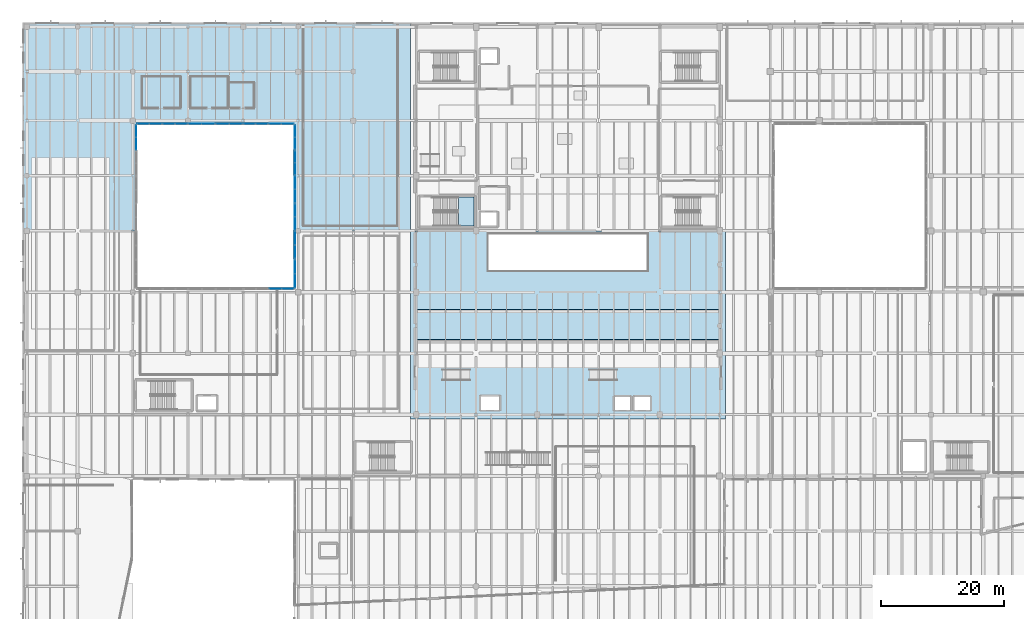
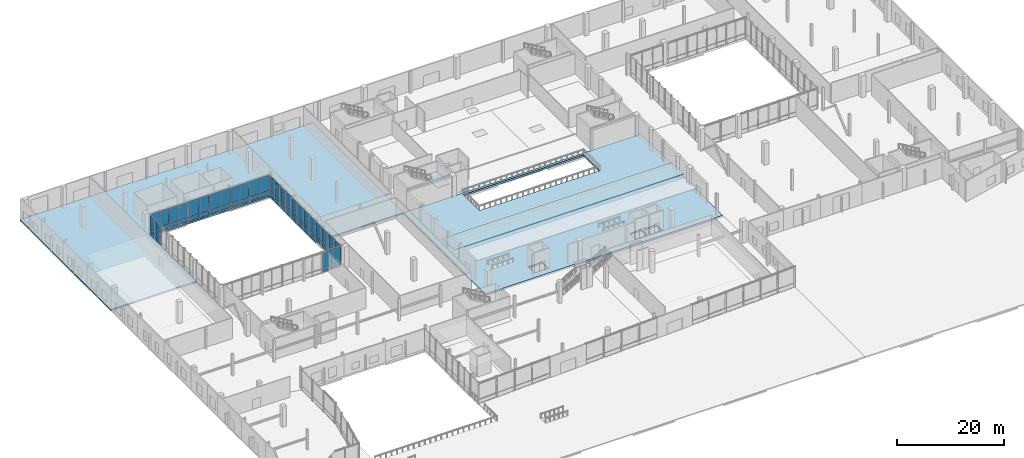
# One storey, part 62 of 88: 56 plates, 4 slabs, 15 elements without a shape of their own.
"""IFC4 building model written with IfcOpenShell, lengths in metres."""

from ifc_helpers import new_model, si_unit, direction, frame, origin, origin_2d, place, context, subcontext, project, spatial, polyline, rectangle, outline, extrude, material, layer, layer_set, type_object, element, aggregate, save


model = new_model("IFC4")

# Units and contexts
model_context = context("Model", 3, precision=1e-05, world=origin(), true_north=direction((0.0, 1.0)))
body_context = subcontext(model_context, "Body", "Model", "MODEL_VIEW")
ifc_project = project(units=[si_unit("LENGTHUNIT", "METRE"), si_unit("AREAUNIT", "SQUARE_METRE"), si_unit("VOLUMEUNIT", "CUBIC_METRE"), si_unit("PLANEANGLEUNIT", "RADIAN"), si_unit("MASSUNIT", "GRAM", prefix="KILO")], contexts=[model_context])

# Site, building, storey
site_placement = place(None, origin())
site = spatial("IfcSite", under=ifc_project, at=site_placement, CompositionType="ELEMENT")
building_placement = place(site_placement, origin())
building = spatial("IfcBuilding", under=site, at=building_placement, Name="Trimount Lyric Opera House", CompositionType="ELEMENT")
storey_placement = place(building_placement, origin())
storey = spatial("IfcBuildingStorey", under=building, at=storey_placement, Name="L00", CompositionType="ELEMENT", Elevation=0.0)

# Curtain wall, plates
ifc_material_1 = material(Name="Thermally Broken Aluminium and Low-E Glass", Category="aluminium")
curtain_wall_type = type_object("IfcCurtainWallType", Name="CW-03", PredefinedType="NOTDEFINED", material=ifc_material_1)
curtain_wall_1_placement = place(storey_placement, origin())
curtain_wall_1 = element("IfcCurtainWall", 1, at=curtain_wall_1_placement, inside=storey, type_object=curtain_wall_type, Name="L00 curtain wall 059", PredefinedType="NOTDEFINED")
ifc_material_2 = material(Name="Triple Low-E Acoustic Laminated Glass", Category="glass")
ifc_layer_1 = layer(ifc_material_2, 0.035888671875)
ifc_layer_set_1 = layer_set([ifc_layer_1], Name="CWP-01")
plate_type_1 = type_object("IfcPlateType", Name="CWP-01", PredefinedType="CURTAIN_PANEL", material=ifc_layer_set_1)
plate_1_placement = place(storey_placement, frame((44.4599609375, 75.860107421875, 0.114990234375), z_axis=(0.0, 0.0, 1.0), x_axis=(0.0, 1.0, 0.0)))
plate_1 = element("IfcPlate", 2, at=plate_1_placement, type_object=plate_type_1, Name="CW-03 panel 1.1", PredefinedType="CURTAIN_PANEL", context=body_context, shape_type="SweptSolid", body=[
    extrude(rectangle(XDim=2.239990234375, YDim=0.035888671875, at=origin_2d()), origin(), (0.0, 0.0, 1.0), 0.87744140625),
])
plate_2_placement = place(storey_placement, frame((44.4599609375, 78.159912109375, 0.114990234375), z_axis=(0.0, 0.0, 1.0), x_axis=(0.0, 1.0, 0.0)))
plate_2 = element("IfcPlate", 3, at=plate_2_placement, type_object=plate_type_1, Name="CW-03 panel 2.1", PredefinedType="CURTAIN_PANEL", context=body_context, shape_type="SweptSolid", body=[
    extrude(rectangle(XDim=2.239990234375, YDim=0.035888671875, at=origin_2d()), origin(), (0.0, 0.0, 1.0), 0.87744140625),
])

curtain_wall_2_placement = place(storey_placement, origin())
curtain_wall_2 = element("IfcCurtainWall", 4, at=curtain_wall_2_placement, inside=storey, type_object=curtain_wall_type, Name="L00 curtain wall 060", PredefinedType="NOTDEFINED")
plate_3_placement = place(storey_placement, frame((44.4599609375, 80.590087890625, 0.159912109375), z_axis=(0.0, 0.0, 1.0), x_axis=(0.0, 1.0, 0.0)))
plate_3 = element("IfcPlate", 5, at=plate_3_placement, type_object=plate_type_1, Name="CW-03 panel 1.1", PredefinedType="CURTAIN_PANEL", context=body_context, shape_type="SweptSolid", body=[
    extrude(rectangle(XDim=2.179931640625, YDim=0.035888671875, at=origin_2d()), origin(), (0.0, 0.0, 1.0), 0.81005859375),
])
plate_4_placement = place(storey_placement, frame((44.4599609375, 82.840087890625, 0.159912109375), z_axis=(0.0, 0.0, 1.0), x_axis=(0.0, 1.0, 0.0)))
plate_4 = element("IfcPlate", 6, at=plate_4_placement, type_object=plate_type_1, Name="CW-03 panel 2.1", PredefinedType="CURTAIN_PANEL", context=body_context, shape_type="SweptSolid", body=[
    extrude(rectangle(XDim=2.179931640625, YDim=0.035888671875, at=origin_2d()), origin(), (0.0, 0.0, 1.0), 0.81005859375),
])

curtain_wall_3_placement = place(storey_placement, origin())
curtain_wall_3 = element("IfcCurtainWall", 7, at=curtain_wall_3_placement, inside=storey, type_object=curtain_wall_type, Name="L00 curtain wall 061", PredefinedType="NOTDEFINED")
plate_5_placement = place(storey_placement, frame((44.4599609375, 85.208740234375, 0.13525390625), z_axis=(0.0, 0.0, 1.0), x_axis=(0.0, 1.0, 0.0)))
plate_5 = element("IfcPlate", 8, at=plate_5_placement, type_object=plate_type_1, Name="CW-03 panel 1.1", PredefinedType="CURTAIN_PANEL", context=body_context, shape_type="SweptSolid", body=[
    extrude(rectangle(XDim=2.107421875, YDim=0.035888671875, at=origin_2d()), origin(), (0.0, 0.0, 1.0), 0.847412109375),
])
plate_6_placement = place(storey_placement, frame((44.4599609375, 87.38134765625, 0.13525390625), z_axis=(0.0, 0.0, 1.0), x_axis=(0.0, 1.0, 0.0)))
plate_6 = element("IfcPlate", 9, at=plate_6_placement, type_object=plate_type_1, Name="CW-03 panel 2.1", PredefinedType="CURTAIN_PANEL", context=body_context, shape_type="SweptSolid", body=[
    extrude(rectangle(XDim=2.107421875, YDim=0.035888671875, at=origin_2d()), origin(), (0.0, 0.0, 1.0), 0.847412109375),
])

curtain_wall_4_placement = place(storey_placement, origin())
curtain_wall_4 = element("IfcCurtainWall", 10, at=curtain_wall_4_placement, inside=storey, type_object=curtain_wall_type, Name="L00 curtain wall 062", PredefinedType="NOTDEFINED")
plate_7_placement = place(storey_placement, frame((44.4599609375, 89.70751953125, 0.114990234375), z_axis=(0.0, 0.0, 1.0), x_axis=(0.0, 1.0, 0.0)))
plate_7 = element("IfcPlate", 11, at=plate_7_placement, type_object=plate_type_1, Name="CW-03 panel 1.1", PredefinedType="CURTAIN_PANEL", context=body_context, shape_type="SweptSolid", body=[
    extrude(rectangle(XDim=2.114990234375, YDim=0.035888671875, at=origin_2d()), origin(), (0.0, 0.0, 1.0), 0.87744140625),
])
plate_8_placement = place(storey_placement, frame((44.4599609375, 91.882568359375, 0.114990234375), z_axis=(0.0, 0.0, 1.0), x_axis=(0.0, 1.0, 0.0)))
plate_8 = element("IfcPlate", 12, at=plate_8_placement, type_object=plate_type_1, Name="CW-03 panel 2.1", PredefinedType="CURTAIN_PANEL", context=body_context, shape_type="SweptSolid", body=[
    extrude(rectangle(XDim=2.114990234375, YDim=0.035888671875, at=origin_2d()), origin(), (0.0, 0.0, 1.0), 0.87744140625),
])

curtain_wall_5_placement = place(storey_placement, origin())
curtain_wall_5 = element("IfcCurtainWall", 13, at=curtain_wall_5_placement, inside=storey, type_object=curtain_wall_type, Name="L00 curtain wall 063", PredefinedType="NOTDEFINED")
plate_9_placement = place(storey_placement, frame((44.4599609375, 94.125, 0.159912109375), z_axis=(0.0, 0.0, 1.0), x_axis=(0.0, 1.0, 0.0)))
plate_9 = element("IfcPlate", 14, at=plate_9_placement, type_object=plate_type_1, Name="CW-03 panel 1.1", PredefinedType="CURTAIN_PANEL", context=body_context, shape_type="SweptSolid", body=[
    extrude(rectangle(XDim=1.929931640625, YDim=0.035888671875, at=origin_2d()), origin(), (0.0, 0.0, 1.0), 0.81005859375),
])
plate_10_placement = place(storey_placement, frame((44.4599609375, 96.125, 0.159912109375), z_axis=(0.0, 0.0, 1.0), x_axis=(0.0, 1.0, 0.0)))
plate_10 = element("IfcPlate", 15, at=plate_10_placement, type_object=plate_type_1, Name="CW-03 panel 2.1", PredefinedType="CURTAIN_PANEL", context=body_context, shape_type="SweptSolid", body=[
    extrude(rectangle(XDim=1.929931640625, YDim=0.035888671875, at=origin_2d()), origin(), (0.0, 0.0, 1.0), 0.81005859375),
])

curtain_wall_6_placement = place(storey_placement, origin())
curtain_wall_6 = element("IfcCurtainWall", 16, at=curtain_wall_6_placement, inside=storey, type_object=curtain_wall_type, Name="L00 curtain wall 064", PredefinedType="NOTDEFINED")
plate_11_placement = place(storey_placement, frame((44.4599609375, 98.28369140625, 0.13525390625), z_axis=(0.0, 0.0, 1.0), x_axis=(0.0, 1.0, 0.0)))
plate_11 = element("IfcPlate", 17, at=plate_11_placement, type_object=plate_type_1, Name="CW-03 panel 1.1", PredefinedType="CURTAIN_PANEL", context=body_context, shape_type="SweptSolid", body=[
    extrude(rectangle(XDim=1.9375, YDim=0.035888671875, at=origin_2d()), origin(), (0.0, 0.0, 1.0), 0.847412109375),
])
plate_12_placement = place(storey_placement, frame((44.4599609375, 100.2861328125, 0.13525390625), z_axis=(0.0, 0.0, 1.0), x_axis=(0.0, 1.0, 0.0)))
plate_12 = element("IfcPlate", 18, at=plate_12_placement, type_object=plate_type_1, Name="CW-03 panel 2.1", PredefinedType="CURTAIN_PANEL", context=body_context, shape_type="SweptSolid", body=[
    extrude(rectangle(XDim=1.9375, YDim=0.035888671875, at=origin_2d()), origin(), (0.0, 0.0, 1.0), 0.847412109375),
])

curtain_wall_7_placement = place(storey_placement, origin())
curtain_wall_7 = element("IfcCurtainWall", 19, at=curtain_wall_7_placement, inside=storey, type_object=curtain_wall_type, Name="L00 curtain wall 065", PredefinedType="NOTDEFINED")
plate_13_placement = place(storey_placement, frame((43.264892578125, 101.4599609375, 0.114990234375), z_axis=(0.0, 0.0, 1.0), x_axis=(-1.0, 0.0, 0.0)))
plate_13 = element("IfcPlate", 20, at=plate_13_placement, type_object=plate_type_1, Name="CW-03 panel 1.1", PredefinedType="CURTAIN_PANEL", context=body_context, shape_type="SweptSolid", body=[
    extrude(rectangle(XDim=1.989990234375, YDim=0.035888671875, at=origin_2d()), origin(), (0.0, 0.0, 1.0), 0.87744140625),
])
plate_14_placement = place(storey_placement, frame((41.215087890625, 101.4599609375, 0.114990234375), z_axis=(0.0, 0.0, 1.0), x_axis=(-1.0, 0.0, 0.0)))
plate_14 = element("IfcPlate", 21, at=plate_14_placement, type_object=plate_type_1, Name="CW-03 panel 2.1", PredefinedType="CURTAIN_PANEL", context=body_context, shape_type="SweptSolid", body=[
    extrude(rectangle(XDim=1.989990234375, YDim=0.035888671875, at=origin_2d()), origin(), (0.0, 0.0, 1.0), 0.87744140625),
])

curtain_wall_8_placement = place(storey_placement, origin())
curtain_wall_8 = element("IfcCurtainWall", 22, at=curtain_wall_8_placement, inside=storey, type_object=curtain_wall_type, Name="L00 curtain wall 066", PredefinedType="NOTDEFINED")
plate_15_placement = place(storey_placement, frame((39.034912109375, 101.4599609375, 0.159912109375), z_axis=(0.0, 0.0, 1.0), x_axis=(-1.0, 0.0, 0.0)))
plate_15 = element("IfcPlate", 23, at=plate_15_placement, type_object=plate_type_1, Name="CW-03 panel 1.1", PredefinedType="CURTAIN_PANEL", context=body_context, shape_type="SweptSolid", body=[
    extrude(rectangle(XDim=1.929931640625, YDim=0.035888671875, at=origin_2d()), origin(), (0.0, 0.0, 1.0), 0.81005859375),
])
plate_16_placement = place(storey_placement, frame((37.034912109375, 101.4599609375, 0.159912109375), z_axis=(0.0, 0.0, 1.0), x_axis=(-1.0, 0.0, 0.0)))
plate_16 = element("IfcPlate", 24, at=plate_16_placement, type_object=plate_type_1, Name="CW-03 panel 2.1", PredefinedType="CURTAIN_PANEL", context=body_context, shape_type="SweptSolid", body=[
    extrude(rectangle(XDim=1.929931640625, YDim=0.035888671875, at=origin_2d()), origin(), (0.0, 0.0, 1.0), 0.81005859375),
])

curtain_wall_9_placement = place(storey_placement, origin())
curtain_wall_9 = element("IfcCurtainWall", 25, at=curtain_wall_9_placement, inside=storey, type_object=curtain_wall_type, Name="L00 curtain wall 067", PredefinedType="NOTDEFINED")
plate_17_placement = place(storey_placement, frame((34.791259765625, 101.4599609375, 0.13525390625), z_axis=(0.0, 0.0, 1.0), x_axis=(-1.0, 0.0, 0.0)))
plate_17 = element("IfcPlate", 26, at=plate_17_placement, type_object=plate_type_1, Name="CW-03 panel 1.1", PredefinedType="CURTAIN_PANEL", context=body_context, shape_type="SweptSolid", body=[
    extrude(rectangle(XDim=2.107421875, YDim=0.035888671875, at=origin_2d()), origin(), (0.0, 0.0, 1.0), 0.847412109375),
])
plate_18_placement = place(storey_placement, frame((32.61865234375, 101.4599609375, 0.13525390625), z_axis=(0.0, 0.0, 1.0), x_axis=(-1.0, 0.0, 0.0)))
plate_18 = element("IfcPlate", 27, at=plate_18_placement, type_object=plate_type_1, Name="CW-03 panel 2.1", PredefinedType="CURTAIN_PANEL", context=body_context, shape_type="SweptSolid", body=[
    extrude(rectangle(XDim=2.107421875, YDim=0.035888671875, at=origin_2d()), origin(), (0.0, 0.0, 1.0), 0.847412109375),
])

curtain_wall_10_placement = place(storey_placement, origin())
curtain_wall_10 = element("IfcCurtainWall", 28, at=curtain_wall_10_placement, inside=storey, type_object=curtain_wall_type, Name="L00 curtain wall 068", PredefinedType="NOTDEFINED")
plate_19_placement = place(storey_placement, frame((30.29248046875, 101.4599609375, 0.114990234375), z_axis=(0.0, 0.0, 1.0), x_axis=(-1.0, 0.0, 0.0)))
plate_19 = element("IfcPlate", 29, at=plate_19_placement, type_object=plate_type_1, Name="CW-03 panel 1.1", PredefinedType="CURTAIN_PANEL", context=body_context, shape_type="SweptSolid", body=[
    extrude(rectangle(XDim=2.114990234375, YDim=0.035888671875, at=origin_2d()), origin(), (0.0, 0.0, 1.0), 0.87744140625),
])
plate_20_placement = place(storey_placement, frame((28.117431640625, 101.4599609375, 0.114990234375), z_axis=(0.0, 0.0, 1.0), x_axis=(-1.0, 0.0, 0.0)))
plate_20 = element("IfcPlate", 30, at=plate_20_placement, type_object=plate_type_1, Name="CW-03 panel 2.1", PredefinedType="CURTAIN_PANEL", context=body_context, shape_type="SweptSolid", body=[
    extrude(rectangle(XDim=2.114990234375, YDim=0.035888671875, at=origin_2d()), origin(), (0.0, 0.0, 1.0), 0.87744140625),
])

curtain_wall_11_placement = place(storey_placement, origin())
curtain_wall_11 = element("IfcCurtainWall", 31, at=curtain_wall_11_placement, inside=storey, type_object=curtain_wall_type, Name="L00 curtain wall 069", PredefinedType="NOTDEFINED")
plate_21_placement = place(storey_placement, frame((25.875, 101.4599609375, 0.159912109375), z_axis=(0.0, 0.0, 1.0), x_axis=(-1.0, 0.0, 0.0)))
plate_21 = element("IfcPlate", 32, at=plate_21_placement, type_object=plate_type_1, Name="CW-03 panel 1.1", PredefinedType="CURTAIN_PANEL", context=body_context, shape_type="SweptSolid", body=[
    extrude(rectangle(XDim=1.929931640625, YDim=0.035888671875, at=origin_2d()), origin(), (0.0, 0.0, 1.0), 0.81005859375),
])
plate_22_placement = place(storey_placement, frame((23.875, 101.4599609375, 0.159912109375), z_axis=(0.0, 0.0, 1.0), x_axis=(-1.0, 0.0, 0.0)))
plate_22 = element("IfcPlate", 33, at=plate_22_placement, type_object=plate_type_1, Name="CW-03 panel 2.1", PredefinedType="CURTAIN_PANEL", context=body_context, shape_type="SweptSolid", body=[
    extrude(rectangle(XDim=1.929931640625, YDim=0.035888671875, at=origin_2d()), origin(), (0.0, 0.0, 1.0), 0.81005859375),
])

curtain_wall_12_placement = place(storey_placement, origin())
curtain_wall_12 = element("IfcCurtainWall", 34, at=curtain_wall_12_placement, inside=storey, type_object=curtain_wall_type, Name="L00 curtain wall 070", PredefinedType="NOTDEFINED")
plate_23_placement = place(storey_placement, frame((21.71630859375, 101.4599609375, 0.13525390625), z_axis=(0.0, 0.0, 1.0), x_axis=(-1.0, 0.0, 0.0)))
plate_23 = element("IfcPlate", 35, at=plate_23_placement, type_object=plate_type_1, Name="CW-03 panel 1.1", PredefinedType="CURTAIN_PANEL", context=body_context, shape_type="SweptSolid", body=[
    extrude(rectangle(XDim=1.9375, YDim=0.035888671875, at=origin_2d()), origin(), (0.0, 0.0, 1.0), 0.847412109375),
])
plate_24_placement = place(storey_placement, frame((19.7138671875, 101.4599609375, 0.13525390625), z_axis=(0.0, 0.0, 1.0), x_axis=(-1.0, 0.0, 0.0)))
plate_24 = element("IfcPlate", 36, at=plate_24_placement, type_object=plate_type_1, Name="CW-03 panel 2.1", PredefinedType="CURTAIN_PANEL", context=body_context, shape_type="SweptSolid", body=[
    extrude(rectangle(XDim=1.9375, YDim=0.035888671875, at=origin_2d()), origin(), (0.0, 0.0, 1.0), 0.847412109375),
])

curtain_wall_13_placement = place(storey_placement, origin())
curtain_wall_13 = element("IfcCurtainWall", 37, at=curtain_wall_13_placement, inside=storey, type_object=curtain_wall_type, Name="L00 curtain wall 071", PredefinedType="NOTDEFINED")
plate_25_placement = place(storey_placement, frame((18.5400390625, 100.264892578125, 0.114990234375), z_axis=(0.0, 0.0, 1.0), x_axis=(0.0, -1.0, 0.0)))
plate_25 = element("IfcPlate", 38, at=plate_25_placement, type_object=plate_type_1, Name="CW-03 panel 1.1", PredefinedType="CURTAIN_PANEL", context=body_context, shape_type="SweptSolid", body=[
    extrude(rectangle(XDim=1.989990234375, YDim=0.035888671875, at=origin_2d()), origin(), (0.0, 0.0, 1.0), 0.87744140625),
])
plate_26_placement = place(storey_placement, frame((18.5400390625, 98.215087890625, 0.114990234375), z_axis=(0.0, 0.0, 1.0), x_axis=(0.0, -1.0, 0.0)))
plate_26 = element("IfcPlate", 39, at=plate_26_placement, type_object=plate_type_1, Name="CW-03 panel 2.1", PredefinedType="CURTAIN_PANEL", context=body_context, shape_type="SweptSolid", body=[
    extrude(rectangle(XDim=1.989990234375, YDim=0.035888671875, at=origin_2d()), origin(), (0.0, 0.0, 1.0), 0.87744140625),
])

curtain_wall_14_placement = place(storey_placement, origin())
curtain_wall_14 = element("IfcCurtainWall", 40, at=curtain_wall_14_placement, inside=storey, type_object=curtain_wall_type, Name="L00 curtain wall 082", PredefinedType="NOTDEFINED")
plate_27_placement = place(storey_placement, frame((41.28369140625, 74.5400390625, 0.13525390625), z_axis=(0.0, 0.0, 1.0), x_axis=(1.0, 0.0, 0.0)))
plate_27 = element("IfcPlate", 41, at=plate_27_placement, type_object=plate_type_1, Name="CW-03 panel 1.1", PredefinedType="CURTAIN_PANEL", context=body_context, shape_type="SweptSolid", body=[
    extrude(rectangle(XDim=1.9375, YDim=0.035888671875, at=origin_2d()), origin(), (0.0, 0.0, 1.0), 0.847412109375),
])
plate_28_placement = place(storey_placement, frame((43.2861328125, 74.5400390625, 0.13525390625), z_axis=(0.0, 0.0, 1.0), x_axis=(1.0, 0.0, 0.0)))
plate_28 = element("IfcPlate", 42, at=plate_28_placement, type_object=plate_type_1, Name="CW-03 panel 2.1", PredefinedType="CURTAIN_PANEL", context=body_context, shape_type="SweptSolid", body=[
    extrude(rectangle(XDim=1.9375, YDim=0.035888671875, at=origin_2d()), origin(), (0.0, 0.0, 1.0), 0.847412109375),
])

# Plate
ifc_material_3 = material(Name="Insulated Aluminium Shadow-Box Spandrel Panel", Category="aluminium")
ifc_layer_2 = layer(ifc_material_3, 0.0419921875)
ifc_layer_set_2 = layer_set([ifc_layer_2], Name="CWP-04")
plate_type_2 = type_object("IfcPlateType", Name="CWP-04", PredefinedType="CURTAIN_PANEL", material=ifc_layer_set_2)
plate_29_placement = place(storey_placement, frame((44.4599609375, 75.860107421875, 1.107421875), z_axis=(0.0, 0.0, 1.0), x_axis=(0.0, 1.0, 0.0)))
plate_29 = element("IfcPlate", 43, at=plate_29_placement, type_object=plate_type_2, Name="CW-03 panel 1.2", PredefinedType="CURTAIN_PANEL", context=body_context, shape_type="SweptSolid", body=[
    extrude(rectangle(XDim=2.239990234375, YDim=0.035888671875, at=origin_2d()), origin(), (0.0, 0.0, 1.0), 3.49755859375),
])

plate_30_placement = place(storey_placement, frame((44.4599609375, 78.159912109375, 1.107421875), z_axis=(0.0, 0.0, 1.0), x_axis=(0.0, 1.0, 0.0)))
plate_30 = element("IfcPlate", 44, at=plate_30_placement, type_object=plate_type_2, Name="CW-03 panel 2.2", PredefinedType="CURTAIN_PANEL", context=body_context, shape_type="SweptSolid", body=[
    extrude(rectangle(XDim=2.239990234375, YDim=0.035888671875, at=origin_2d()), origin(), (0.0, 0.0, 1.0), 3.49755859375),
])

aggregate(curtain_wall_1, [plate_1, plate_29, plate_2, plate_30])

plate_31_placement = place(storey_placement, frame((44.4599609375, 80.590087890625, 1.1298828125), z_axis=(0.0, 0.0, 1.0), x_axis=(0.0, 1.0, 0.0)))
plate_31 = element("IfcPlate", 45, at=plate_31_placement, type_object=plate_type_2, Name="CW-03 panel 1.2", PredefinedType="CURTAIN_PANEL", context=body_context, shape_type="SweptSolid", body=[
    extrude(rectangle(XDim=2.179931640625, YDim=0.035888671875, at=origin_2d()), origin(), (0.0, 0.0, 1.0), 3.429931640625),
])

plate_32_placement = place(storey_placement, frame((44.4599609375, 82.840087890625, 1.1298828125), z_axis=(0.0, 0.0, 1.0), x_axis=(0.0, 1.0, 0.0)))
plate_32 = element("IfcPlate", 46, at=plate_32_placement, type_object=plate_type_2, Name="CW-03 panel 2.2", PredefinedType="CURTAIN_PANEL", context=body_context, shape_type="SweptSolid", body=[
    extrude(rectangle(XDim=2.179931640625, YDim=0.035888671875, at=origin_2d()), origin(), (0.0, 0.0, 1.0), 3.429931640625),
])

aggregate(curtain_wall_2, [plate_3, plate_31, plate_4, plate_32])

plate_33_placement = place(storey_placement, frame((44.4599609375, 85.208740234375, 1.11767578125), z_axis=(0.0, 0.0, 1.0), x_axis=(0.0, 1.0, 0.0)))
plate_33 = element("IfcPlate", 47, at=plate_33_placement, type_object=plate_type_2, Name="CW-03 panel 1.2", PredefinedType="CURTAIN_PANEL", context=body_context, shape_type="SweptSolid", body=[
    extrude(rectangle(XDim=2.107421875, YDim=0.035888671875, at=origin_2d()), origin(), (0.0, 0.0, 1.0), 3.467529296875),
])

plate_34_placement = place(storey_placement, frame((44.4599609375, 87.38134765625, 1.11767578125), z_axis=(0.0, 0.0, 1.0), x_axis=(0.0, 1.0, 0.0)))
plate_34 = element("IfcPlate", 48, at=plate_34_placement, type_object=plate_type_2, Name="CW-03 panel 2.2", PredefinedType="CURTAIN_PANEL", context=body_context, shape_type="SweptSolid", body=[
    extrude(rectangle(XDim=2.107421875, YDim=0.035888671875, at=origin_2d()), origin(), (0.0, 0.0, 1.0), 3.467529296875),
])

aggregate(curtain_wall_3, [plate_5, plate_33, plate_6, plate_34])

plate_35_placement = place(storey_placement, frame((44.4599609375, 89.70751953125, 1.107421875), z_axis=(0.0, 0.0, 1.0), x_axis=(0.0, 1.0, 0.0)))
plate_35 = element("IfcPlate", 49, at=plate_35_placement, type_object=plate_type_2, Name="CW-03 panel 1.2", PredefinedType="CURTAIN_PANEL", context=body_context, shape_type="SweptSolid", body=[
    extrude(rectangle(XDim=2.114990234375, YDim=0.035888671875, at=origin_2d()), origin(), (0.0, 0.0, 1.0), 3.49755859375),
])

plate_36_placement = place(storey_placement, frame((44.4599609375, 91.882568359375, 1.107421875), z_axis=(0.0, 0.0, 1.0), x_axis=(0.0, 1.0, 0.0)))
plate_36 = element("IfcPlate", 50, at=plate_36_placement, type_object=plate_type_2, Name="CW-03 panel 2.2", PredefinedType="CURTAIN_PANEL", context=body_context, shape_type="SweptSolid", body=[
    extrude(rectangle(XDim=2.114990234375, YDim=0.035888671875, at=origin_2d()), origin(), (0.0, 0.0, 1.0), 3.49755859375),
])

aggregate(curtain_wall_4, [plate_7, plate_35, plate_8, plate_36])

plate_37_placement = place(storey_placement, frame((44.4599609375, 94.125, 1.1298828125), z_axis=(0.0, 0.0, 1.0), x_axis=(0.0, 1.0, 0.0)))
plate_37 = element("IfcPlate", 51, at=plate_37_placement, type_object=plate_type_2, Name="CW-03 panel 1.2", PredefinedType="CURTAIN_PANEL", context=body_context, shape_type="SweptSolid", body=[
    extrude(rectangle(XDim=1.929931640625, YDim=0.035888671875, at=origin_2d()), origin(), (0.0, 0.0, 1.0), 3.429931640625),
])

plate_38_placement = place(storey_placement, frame((44.4599609375, 96.125, 1.1298828125), z_axis=(0.0, 0.0, 1.0), x_axis=(0.0, 1.0, 0.0)))
plate_38 = element("IfcPlate", 52, at=plate_38_placement, type_object=plate_type_2, Name="CW-03 panel 2.2", PredefinedType="CURTAIN_PANEL", context=body_context, shape_type="SweptSolid", body=[
    extrude(rectangle(XDim=1.929931640625, YDim=0.035888671875, at=origin_2d()), origin(), (0.0, 0.0, 1.0), 3.429931640625),
])

aggregate(curtain_wall_5, [plate_9, plate_37, plate_10, plate_38])

plate_39_placement = place(storey_placement, frame((44.4599609375, 98.28369140625, 1.11767578125), z_axis=(0.0, 0.0, 1.0), x_axis=(0.0, 1.0, 0.0)))
plate_39 = element("IfcPlate", 53, at=plate_39_placement, type_object=plate_type_2, Name="CW-03 panel 1.2", PredefinedType="CURTAIN_PANEL", context=body_context, shape_type="SweptSolid", body=[
    extrude(rectangle(XDim=1.9375, YDim=0.035888671875, at=origin_2d()), origin(), (0.0, 0.0, 1.0), 3.467529296875),
])

plate_40_placement = place(storey_placement, frame((44.4599609375, 100.2861328125, 1.11767578125), z_axis=(0.0, 0.0, 1.0), x_axis=(0.0, 1.0, 0.0)))
plate_40 = element("IfcPlate", 54, at=plate_40_placement, type_object=plate_type_2, Name="CW-03 panel 2.2", PredefinedType="CURTAIN_PANEL", context=body_context, shape_type="SweptSolid", body=[
    extrude(rectangle(XDim=1.9375, YDim=0.035888671875, at=origin_2d()), origin(), (0.0, 0.0, 1.0), 3.467529296875),
])

aggregate(curtain_wall_6, [plate_11, plate_39, plate_12, plate_40])

plate_41_placement = place(storey_placement, frame((43.264892578125, 101.4599609375, 1.107421875), z_axis=(0.0, 0.0, 1.0), x_axis=(-1.0, 0.0, 0.0)))
plate_41 = element("IfcPlate", 55, at=plate_41_placement, type_object=plate_type_2, Name="CW-03 panel 1.2", PredefinedType="CURTAIN_PANEL", context=body_context, shape_type="SweptSolid", body=[
    extrude(rectangle(XDim=1.989990234375, YDim=0.035888671875, at=origin_2d()), origin(), (0.0, 0.0, 1.0), 3.49755859375),
])

plate_42_placement = place(storey_placement, frame((41.215087890625, 101.4599609375, 1.107421875), z_axis=(0.0, 0.0, 1.0), x_axis=(-1.0, 0.0, 0.0)))
plate_42 = element("IfcPlate", 56, at=plate_42_placement, type_object=plate_type_2, Name="CW-03 panel 2.2", PredefinedType="CURTAIN_PANEL", context=body_context, shape_type="SweptSolid", body=[
    extrude(rectangle(XDim=1.989990234375, YDim=0.035888671875, at=origin_2d()), origin(), (0.0, 0.0, 1.0), 3.49755859375),
])

aggregate(curtain_wall_7, [plate_13, plate_41, plate_14, plate_42])

plate_43_placement = place(storey_placement, frame((39.034912109375, 101.4599609375, 1.1298828125), z_axis=(0.0, 0.0, 1.0), x_axis=(-1.0, 0.0, 0.0)))
plate_43 = element("IfcPlate", 57, at=plate_43_placement, type_object=plate_type_2, Name="CW-03 panel 1.2", PredefinedType="CURTAIN_PANEL", context=body_context, shape_type="SweptSolid", body=[
    extrude(rectangle(XDim=1.929931640625, YDim=0.035888671875, at=origin_2d()), origin(), (0.0, 0.0, 1.0), 3.429931640625),
])

plate_44_placement = place(storey_placement, frame((37.034912109375, 101.4599609375, 1.1298828125), z_axis=(0.0, 0.0, 1.0), x_axis=(-1.0, 0.0, 0.0)))
plate_44 = element("IfcPlate", 58, at=plate_44_placement, type_object=plate_type_2, Name="CW-03 panel 2.2", PredefinedType="CURTAIN_PANEL", context=body_context, shape_type="SweptSolid", body=[
    extrude(rectangle(XDim=1.929931640625, YDim=0.035888671875, at=origin_2d()), origin(), (0.0, 0.0, 1.0), 3.429931640625),
])

aggregate(curtain_wall_8, [plate_15, plate_43, plate_16, plate_44])

plate_45_placement = place(storey_placement, frame((34.791259765625, 101.4599609375, 1.11767578125), z_axis=(0.0, 0.0, 1.0), x_axis=(-1.0, 0.0, 0.0)))
plate_45 = element("IfcPlate", 59, at=plate_45_placement, type_object=plate_type_2, Name="CW-03 panel 1.2", PredefinedType="CURTAIN_PANEL", context=body_context, shape_type="SweptSolid", body=[
    extrude(rectangle(XDim=2.107421875, YDim=0.035888671875, at=origin_2d()), origin(), (0.0, 0.0, 1.0), 3.467529296875),
])

plate_46_placement = place(storey_placement, frame((32.61865234375, 101.4599609375, 1.11767578125), z_axis=(0.0, 0.0, 1.0), x_axis=(-1.0, 0.0, 0.0)))
plate_46 = element("IfcPlate", 60, at=plate_46_placement, type_object=plate_type_2, Name="CW-03 panel 2.2", PredefinedType="CURTAIN_PANEL", context=body_context, shape_type="SweptSolid", body=[
    extrude(rectangle(XDim=2.107421875, YDim=0.035888671875, at=origin_2d()), origin(), (0.0, 0.0, 1.0), 3.467529296875),
])

aggregate(curtain_wall_9, [plate_17, plate_45, plate_18, plate_46])

plate_47_placement = place(storey_placement, frame((30.29248046875, 101.4599609375, 1.107421875), z_axis=(0.0, 0.0, 1.0), x_axis=(-1.0, 0.0, 0.0)))
plate_47 = element("IfcPlate", 61, at=plate_47_placement, type_object=plate_type_2, Name="CW-03 panel 1.2", PredefinedType="CURTAIN_PANEL", context=body_context, shape_type="SweptSolid", body=[
    extrude(rectangle(XDim=2.114990234375, YDim=0.035888671875, at=origin_2d()), origin(), (0.0, 0.0, 1.0), 3.49755859375),
])

plate_48_placement = place(storey_placement, frame((28.117431640625, 101.4599609375, 1.107421875), z_axis=(0.0, 0.0, 1.0), x_axis=(-1.0, 0.0, 0.0)))
plate_48 = element("IfcPlate", 62, at=plate_48_placement, type_object=plate_type_2, Name="CW-03 panel 2.2", PredefinedType="CURTAIN_PANEL", context=body_context, shape_type="SweptSolid", body=[
    extrude(rectangle(XDim=2.114990234375, YDim=0.035888671875, at=origin_2d()), origin(), (0.0, 0.0, 1.0), 3.49755859375),
])

aggregate(curtain_wall_10, [plate_19, plate_47, plate_20, plate_48])

plate_49_placement = place(storey_placement, frame((25.875, 101.4599609375, 1.1298828125), z_axis=(0.0, 0.0, 1.0), x_axis=(-1.0, 0.0, 0.0)))
plate_49 = element("IfcPlate", 63, at=plate_49_placement, type_object=plate_type_2, Name="CW-03 panel 1.2", PredefinedType="CURTAIN_PANEL", context=body_context, shape_type="SweptSolid", body=[
    extrude(rectangle(XDim=1.929931640625, YDim=0.035888671875, at=origin_2d()), origin(), (0.0, 0.0, 1.0), 3.429931640625),
])

plate_50_placement = place(storey_placement, frame((23.875, 101.4599609375, 1.1298828125), z_axis=(0.0, 0.0, 1.0), x_axis=(-1.0, 0.0, 0.0)))
plate_50 = element("IfcPlate", 64, at=plate_50_placement, type_object=plate_type_2, Name="CW-03 panel 2.2", PredefinedType="CURTAIN_PANEL", context=body_context, shape_type="SweptSolid", body=[
    extrude(rectangle(XDim=1.929931640625, YDim=0.035888671875, at=origin_2d()), origin(), (0.0, 0.0, 1.0), 3.429931640625),
])

aggregate(curtain_wall_11, [plate_21, plate_49, plate_22, plate_50])

plate_51_placement = place(storey_placement, frame((21.71630859375, 101.4599609375, 1.11767578125), z_axis=(0.0, 0.0, 1.0), x_axis=(-1.0, 0.0, 0.0)))
plate_51 = element("IfcPlate", 65, at=plate_51_placement, type_object=plate_type_2, Name="CW-03 panel 1.2", PredefinedType="CURTAIN_PANEL", context=body_context, shape_type="SweptSolid", body=[
    extrude(rectangle(XDim=1.9375, YDim=0.035888671875, at=origin_2d()), origin(), (0.0, 0.0, 1.0), 3.467529296875),
])

plate_52_placement = place(storey_placement, frame((19.7138671875, 101.4599609375, 1.11767578125), z_axis=(0.0, 0.0, 1.0), x_axis=(-1.0, 0.0, 0.0)))
plate_52 = element("IfcPlate", 66, at=plate_52_placement, type_object=plate_type_2, Name="CW-03 panel 2.2", PredefinedType="CURTAIN_PANEL", context=body_context, shape_type="SweptSolid", body=[
    extrude(rectangle(XDim=1.9375, YDim=0.035888671875, at=origin_2d()), origin(), (0.0, 0.0, 1.0), 3.467529296875),
])

aggregate(curtain_wall_12, [plate_23, plate_51, plate_24, plate_52])

plate_53_placement = place(storey_placement, frame((18.5400390625, 100.264892578125, 1.107421875), z_axis=(0.0, 0.0, 1.0), x_axis=(0.0, -1.0, 0.0)))
plate_53 = element("IfcPlate", 67, at=plate_53_placement, type_object=plate_type_2, Name="CW-03 panel 1.2", PredefinedType="CURTAIN_PANEL", context=body_context, shape_type="SweptSolid", body=[
    extrude(rectangle(XDim=1.989990234375, YDim=0.035888671875, at=origin_2d()), origin(), (0.0, 0.0, 1.0), 3.49755859375),
])

plate_54_placement = place(storey_placement, frame((18.5400390625, 98.215087890625, 1.107421875), z_axis=(0.0, 0.0, 1.0), x_axis=(0.0, -1.0, 0.0)))
plate_54 = element("IfcPlate", 68, at=plate_54_placement, type_object=plate_type_2, Name="CW-03 panel 2.2", PredefinedType="CURTAIN_PANEL", context=body_context, shape_type="SweptSolid", body=[
    extrude(rectangle(XDim=1.989990234375, YDim=0.035888671875, at=origin_2d()), origin(), (0.0, 0.0, 1.0), 3.49755859375),
])

aggregate(curtain_wall_13, [plate_25, plate_53, plate_26, plate_54])

plate_55_placement = place(storey_placement, frame((41.28369140625, 74.5400390625, 1.11767578125), z_axis=(0.0, 0.0, 1.0), x_axis=(1.0, 0.0, 0.0)))
plate_55 = element("IfcPlate", 69, at=plate_55_placement, type_object=plate_type_2, Name="CW-03 panel 1.2", PredefinedType="CURTAIN_PANEL", context=body_context, shape_type="SweptSolid", body=[
    extrude(rectangle(XDim=1.9375, YDim=0.035888671875, at=origin_2d()), origin(), (0.0, 0.0, 1.0), 3.467529296875),
])

plate_56_placement = place(storey_placement, frame((43.2861328125, 74.5400390625, 1.11767578125), z_axis=(0.0, 0.0, 1.0), x_axis=(1.0, 0.0, 0.0)))
plate_56 = element("IfcPlate", 70, at=plate_56_placement, type_object=plate_type_2, Name="CW-03 panel 2.2", PredefinedType="CURTAIN_PANEL", context=body_context, shape_type="SweptSolid", body=[
    extrude(rectangle(XDim=1.9375, YDim=0.035888671875, at=origin_2d()), origin(), (0.0, 0.0, 1.0), 3.467529296875),
])

aggregate(curtain_wall_14, [plate_27, plate_55, plate_28, plate_56])

# Slabs
ifc_material_4 = material(Name="Concrete C40/50", Category="concrete")
ifc_layer_3 = layer(ifc_material_4, 0.35009765625)
ifc_layer_set_3 = layer_set([ifc_layer_3], Name="SL-FL350")
slab_type_1 = type_object("IfcSlabType", Name="SL-FL350", PredefinedType="FLOOR", material=ifc_layer_set_3)
slab_1_placement = place(storey_placement, frame((0.0, 0.0, -0.35009765625)))
element("IfcSlab", 71, at=slab_1_placement, inside=storey, type_object=slab_type_1, Name="L00 floor slab L00-WEST-N", PredefinedType="FLOOR", context=body_context, shape_type="SweptSolid", body=[
    extrude(outline(polyline([(63.320068359375, 118.0), (63.320068359375, 84.0), (44.320068359375, 84.0), (44.320068359375, 101.320068359375), (18.679931640625, 101.320068359375), (18.679931640625, 84.0), (0.0, 84.0), (0.0, 118.0), (63.320068359375, 118.0)])), origin(), (0.0, 0.0, 1.0), 0.35009765625),
])
ifc_material_5 = material(Name="Concrete C40/50", Category="concrete")
ifc_layer_4 = layer(ifc_material_5, 0.39990234375)
ifc_layer_set_4 = layer_set([ifc_layer_4], Name="SL-FL400")
slab_type_2 = type_object("IfcSlabType", Name="SL-FL400", PredefinedType="FLOOR", material=ifc_layer_set_4)
slab_2_placement = place(storey_placement, frame((0.0, 0.0, -0.39990234375)))
element("IfcSlab", 72, at=slab_2_placement, inside=storey, type_object=slab_type_2, Name="L00 floor slab L00-VOL1-AUD", PredefinedType="FLOOR", context=body_context, shape_type="SweptSolid", body=[
    extrude(outline(polyline([(114.679931640625, 84.0), (114.679931640625, 53.320068359375), (63.320068359375, 53.320068359375), (63.320068359375, 84.0), (114.679931640625, 84.0)]), holes=[polyline([(102.39990234375, 56.89990234375), (99.800048828125, 56.89990234375), (99.800048828125, 54.800048828125), (102.39990234375, 54.800048828125), (102.39990234375, 56.89990234375)]), polyline([(76.0, 77.5), (102.0, 77.5), (102.0, 83.5), (76.0, 83.5), (76.0, 77.5)]), polyline([(99.199951171875, 56.89990234375), (96.60009765625, 56.89990234375), (96.60009765625, 54.800048828125), (99.199951171875, 54.800048828125), (99.199951171875, 56.89990234375)]), polyline([(77.800048828125, 57.0), (74.800048828125, 57.0), (74.800048828125, 54.800048828125), (77.800048828125, 54.800048828125), (77.800048828125, 57.0)])]), origin(), (0.0, 0.0, 1.0), 0.39990234375),
])

# Stair, slab
ifc_material_6 = material(Name="Concrete C40/50", Category="concrete")
stair_type = type_object("IfcStairType", Name="STR-CORE-A", PredefinedType="TWO_QUARTER_TURN_STAIR", material=ifc_material_6)
stair_placement = place(storey_placement, origin())
stair = element("IfcStair", 73, at=stair_placement, inside=storey, type_object=stair_type, Name="L00 Exit Stair ST-03", PredefinedType="TWO_QUARTER_TURN_STAIR")
ifc_material_7 = material(Name="Concrete C40/50", Category="concrete")
ifc_layer_5 = layer(ifc_material_7, 0.199951171875)
ifc_layer_set_5 = layer_set([ifc_layer_5], Name="SL-LND200")
slab_type_3 = type_object("IfcSlabType", Name="SL-LND200", PredefinedType="LANDING", material=ifc_layer_set_5)
slab_3_placement = place(storey_placement, frame((0.0, 0.0, 2.300048828125)))
slab_3 = element("IfcSlab", 74, at=slab_3_placement, type_object=slab_type_3, Name="ST-03 landing 1", PredefinedType="LANDING", context=body_context, shape_type="SweptSolid", body=[
    extrude(outline(polyline([(71.110107421875, 84.800048828125), (73.699951171875, 84.800048828125), (73.699951171875, 89.5), (71.110107421875, 89.5), (71.110107421875, 84.800048828125)])), origin(), (0.0, 0.0, 1.0), 0.199951171875),
])
aggregate(stair, [slab_3])

# Slab
ifc_material_8 = material(Name="Precast concrete C40/50", Category="concrete")
ifc_layer_6 = layer(ifc_material_8, 0.1650390625)
ifc_layer_set_6 = layer_set([ifc_layer_6], Name="SL-TIER165")
slab_type_4 = type_object("IfcSlabType", Name="SL-TIER165", PredefinedType="USERDEFINED", material=ifc_layer_set_6)
slab_4_placement = place(storey_placement, frame((64.14990234375, 71.199951171875, 1.550048828125), z_axis=(0.0, 0.081343887574, 0.996686094994), x_axis=(1.0, 0.0, 0.0)))
element("IfcSlab", 75, at=slab_4_placement, inside=storey, type_object=slab_type_4, Name="Main Opera Auditorium Stalls Rear Rake", ObjectType="SEATING_TIER", PredefinedType="USERDEFINED", context=body_context, shape_type="SweptSolid", body=[
    extrude(outline(polyline([(0.0, 0.0), (49.7001953125, 0.0), (49.7001953125, -4.916194144134615), (0.0, -4.916194144134615), (0.0, 0.0)])), origin(), (0.0, 0.0, -1.0), 0.1650390625),
])

save(model, "model.ifc")
